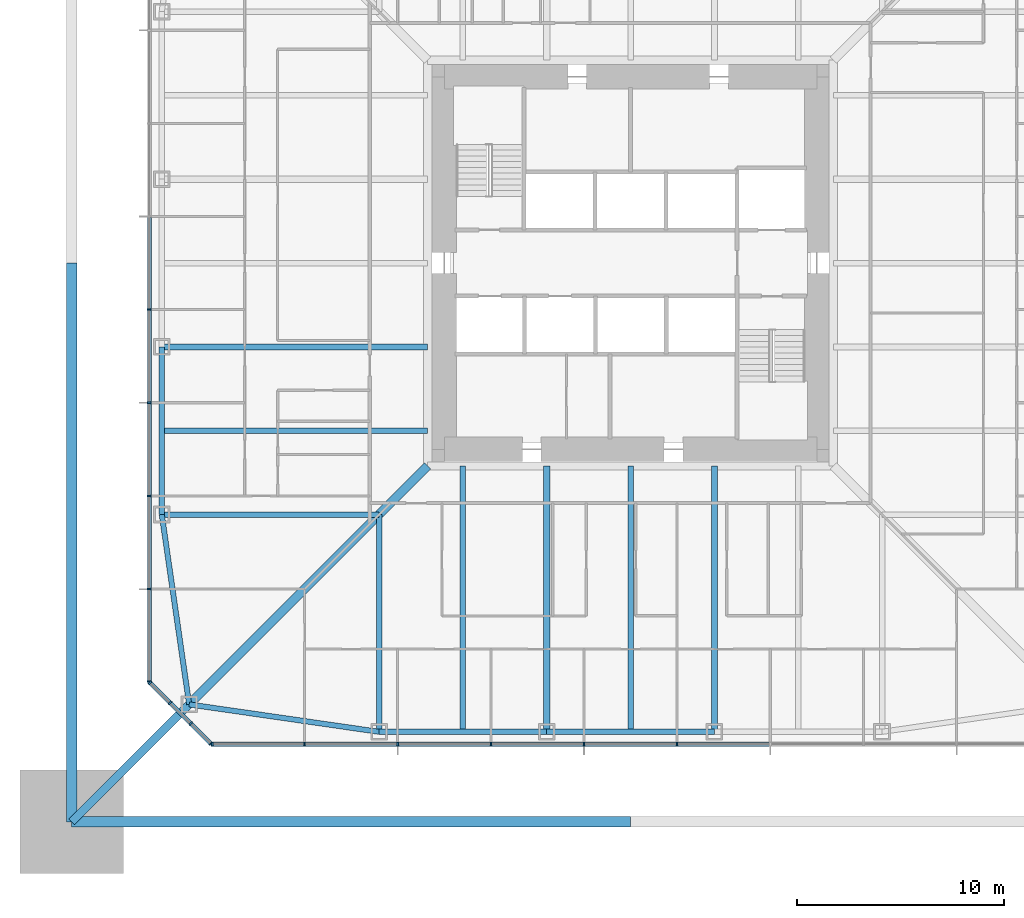
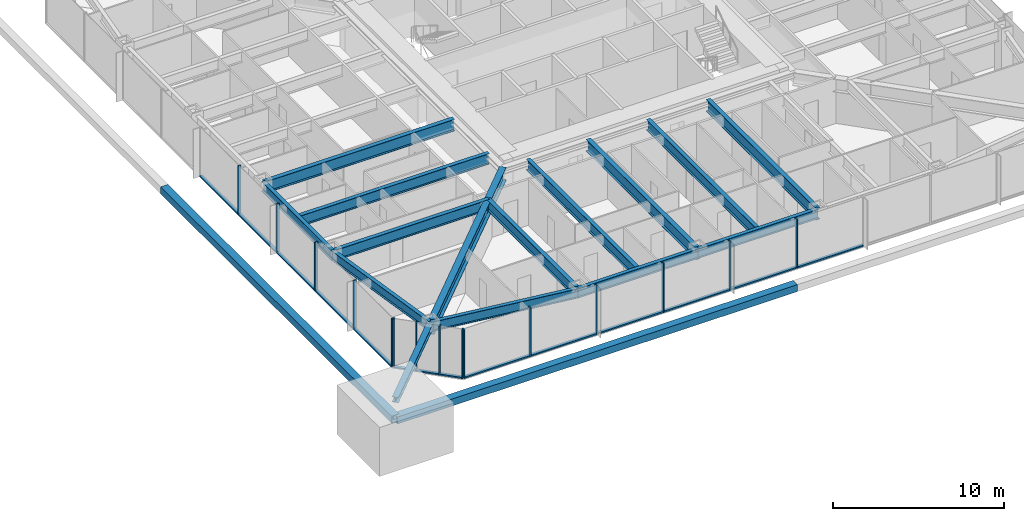
# One storey, part 3 of 27: 32 members, 14 beams, 3 elements without a shape of their own.
"""IFC4 building model written with IfcOpenShell, lengths in metres."""

import ifcopenshell
import ifcopenshell.guid

model = None  # the IFC model being written
_history = None  # IfcOwnerHistory: only IFC2X3 demands one
_inside = {}  # id of a spatial element -> (the spatial element, [elements in it])
_under = {}  # id of a project, library or spatial element -> (it, [spatial elements below it])
_declared = {}  # id of a project -> (the project, [libraries it declares])
_typed = {}  # id of a type object -> (the type object, [elements of that type])
_made_of = {}  # id of a material, layer set ... -> (it, [elements and type objects made of it])


def new_model(schema):
    """Start an empty IFC model of exactly this schema.

    Asked for "IFC4X3", IfcOpenShell would pick the latest addendum, in which some entities
    have other attributes; the version numbers below select the first issue.
    IFC2X3 requires an IfcOwnerHistory on every rooted entity: one is made here for all.
    """
    global model, _history
    if schema == "IFC4X3":
        model = ifcopenshell.file(schema_version=(4, 3, 0, 0))
    else:
        model = ifcopenshell.file(schema=schema)
    _inside.clear()
    _under.clear()
    _declared.clear()
    _typed.clear()
    _made_of.clear()
    _history = None
    if model.schema == "IFC2X3":
        org = make("IfcOrganization", Name="unknown")
        user = make(
            "IfcPersonAndOrganization",
            ThePerson=make("IfcPerson", FamilyName="unknown"),
            TheOrganization=org,
        )
        app = make(
            "IfcApplication",
            ApplicationDeveloper=org,
            Version="unknown",
            ApplicationFullName="unknown",
            ApplicationIdentifier="unknown",
        )
        _history = make(
            "IfcOwnerHistory",
            OwningUser=user,
            OwningApplication=app,
            ChangeAction="ADDED",
            CreationDate=0,
        )
    return model


def make(cls, **values):
    """One entity of the class cls with the attributes given. An attribute that is None is left unset."""
    return model.create_entity(
        cls, **{name: value for name, value in values.items() if value is not None}
    )


def rooted(cls, **values):
    """An entity with a GlobalId (a new one), such as an element, a storey or a relation."""
    return make(cls, GlobalId=ifcopenshell.guid.new(), OwnerHistory=_history, **values)


def si_unit(unit_type, name, prefix=None):
    """IfcSIUnit, for example si_unit("LENGTHUNIT", "METRE", prefix="MILLI")."""
    return make("IfcSIUnit", UnitType=unit_type, Prefix=prefix, Name=name)


def assignment(units):
    """IfcUnitAssignment: the units of a project."""
    return None if units is None else make("IfcUnitAssignment", Units=units)


def point(xyz):
    """IfcCartesianPoint."""
    return None if xyz is None else make("IfcCartesianPoint", Coordinates=xyz)


def direction(xyz):
    """IfcDirection."""
    return None if xyz is None else make("IfcDirection", DirectionRatios=xyz)


def frame(location, z_axis=None, x_axis=None):
    """IfcAxis2Placement3D, a coordinate frame: its origin and axes. An axis left out is left unset."""
    return make(
        "IfcAxis2Placement3D",
        Location=point(location),
        Axis=direction(z_axis),
        RefDirection=direction(x_axis),
    )


def frame_2d(location, x_axis=None):
    """IfcAxis2Placement2D, a coordinate frame in the plane: its origin and x axis."""
    return make(
        "IfcAxis2Placement2D", Location=point(location), RefDirection=direction(x_axis)
    )


def origin():
    """The frame at (0, 0, 0) with its axes left unset."""
    return frame((0.0, 0.0, 0.0))


def origin_2d():
    """The frame at (0, 0) in the plane with its x axis left unset."""
    return frame_2d((0.0, 0.0))


def place(relative_to, where):
    """IfcLocalPlacement: puts the frame where relative to a parent placement (None: the world)."""
    return make(
        "IfcLocalPlacement", PlacementRelTo=relative_to, RelativePlacement=where
    )


def context(
    kind, dimensions, precision=None, world=None, true_north=None, identifier=None
):
    """IfcGeometricRepresentationContext, for example the 3D "Model" context."""
    return make(
        "IfcGeometricRepresentationContext",
        ContextIdentifier=identifier,
        ContextType=kind,
        CoordinateSpaceDimension=dimensions,
        Precision=precision,
        WorldCoordinateSystem=world,
        TrueNorth=true_north,
    )


def subcontext(parent, identifier, kind, view, scale=None):
    """IfcGeometricRepresentationSubContext, for example "Body" below "Model"."""
    return make(
        "IfcGeometricRepresentationSubContext",
        ContextIdentifier=identifier,
        ContextType=kind,
        ParentContext=parent,
        TargetScale=scale,
        TargetView=view,
    )


def project(units=None, contexts=None):
    """IfcProject with its units and contexts."""
    return rooted(
        "IfcProject",
        Name="project",
        RepresentationContexts=contexts,
        UnitsInContext=assignment(units),
    )


def spatial(cls, under=None, at=None, **own):
    """A site, building, storey or space (cls), placed at a placement, below another one or the project."""
    s = rooted(cls, ObjectPlacement=at, **own)
    if under is not None:
        _under.setdefault(under.id(), (under, []))[1].append(s)
    return s


def profile(cls, at=None, kind="AREA", **sizes):
    """A parametric profile (cls). Its sizes go by their IFC names, for example OverallWidth=200.0."""
    return make(cls, ProfileType=kind, Position=at, **sizes)


def rectangle(**sizes):
    """IfcRectangleProfileDef."""
    return profile("IfcRectangleProfileDef", **sizes)


def hollow_rectangle(**sizes):
    """IfcRectangleHollowProfileDef."""
    return profile("IfcRectangleHollowProfileDef", **sizes)


def i_section(**sizes):
    """IfcIShapeProfileDef."""
    return profile("IfcIShapeProfileDef", **sizes)


def extrude(swept, where, along, depth):
    """IfcExtrudedAreaSolid: the profile swept, set in the frame where, extruded along a direction by depth."""
    return make(
        "IfcExtrudedAreaSolid",
        SweptArea=swept,
        Position=where,
        ExtrudedDirection=direction(along),
        Depth=depth,
    )


def shape(context_of_items, identifier, shape_type, items):
    """IfcShapeRepresentation: the items that make up one representation, for example the "Body"."""
    return make(
        "IfcShapeRepresentation",
        ContextOfItems=context_of_items,
        RepresentationIdentifier=identifier,
        RepresentationType=shape_type,
        Items=items,
    )


def material(Name=None, Category=None):
    """IfcMaterial."""
    return make("IfcMaterial", Name=Name, Category=Category)


def material_profile(
    of_material, cross_section, Name=None, Category=None, Priority=None
):
    """IfcMaterialProfile: a cross section and its material."""
    return make(
        "IfcMaterialProfile",
        Name=Name,
        Material=of_material,
        Profile=cross_section,
        Priority=Priority,
        Category=Category,
    )


def profile_set(profiles, Name=None, composite=None):
    """IfcMaterialProfileSet."""
    return make(
        "IfcMaterialProfileSet",
        Name=Name,
        MaterialProfiles=profiles,
        CompositeProfile=composite,
    )


def made_of(thing, what):
    """Note that an element or type object is made of a material, layer set ...; save() writes the relation."""
    if what is not None:
        _made_of.setdefault(what.id(), (what, []))[1].append(thing)
    return thing


def type_object(cls, material=None, **own):
    """A type object (cls), such as IfcWallType, which elements share."""
    return made_of(rooted(cls, **own), material)


def element(
    cls,
    number,
    at=None,
    inside=None,
    cuts=None,
    type_object=None,
    material=None,
    context=None,
    identifier="Body",
    shape_type=None,
    held_by="IfcProductDefinitionShape",
    body=None,
    shapes=None,
    **own,
):
    """One element of the class cls, such as IfcWall. Its Tag is "e" and its number.

    at: its placement. inside: the storey or other place that contains it. cuts: it is an
    opening in that element (IfcRelVoidsElement). A single representation is given by context,
    identifier, shape_type and body (its items); several are given by shapes. held_by: the class
    of the entity that holds the representations. save() writes the other relations.
    """
    e = rooted(cls, Tag="e%d" % number, ObjectPlacement=at, **own)
    if body is not None:
        shapes = [shape(context, identifier, shape_type, body)]
    if shapes is not None:
        e.Representation = make(held_by, Representations=shapes)
    if inside is not None:
        _inside.setdefault(inside.id(), (inside, []))[1].append(e)
    if cuts is not None:
        rooted(
            "IfcRelVoidsElement", RelatingBuildingElement=cuts, RelatedOpeningElement=e
        )
    if type_object is not None:
        _typed.setdefault(type_object.id(), (type_object, []))[1].append(e)
    return made_of(e, material)


def aggregate(whole, parts):
    """IfcRelAggregates: a whole, such as a stair, and the parts it consists of."""
    return rooted("IfcRelAggregates", RelatingObject=whole, RelatedObjects=parts)


def save(model, path):
    """Write the relations noted so far, then the file.

    IfcRelAggregates (storeys below a building ...), IfcRelContainedInSpatialStructure (elements
    in a storey), IfcRelDefinesByType, IfcRelAssociatesMaterial and IfcRelDeclares: one each for
    every whole, place, type object, material and project.
    """
    for whole, parts in _under.values():
        aggregate(whole, parts)
    for where, things in _inside.values():
        rooted(
            "IfcRelContainedInSpatialStructure",
            RelatedElements=things,
            RelatingStructure=where,
        )
    for kind, things in _typed.values():
        rooted("IfcRelDefinesByType", RelatedObjects=things, RelatingType=kind)
    for what, things in _made_of.values():
        rooted("IfcRelAssociatesMaterial", RelatedObjects=things, RelatingMaterial=what)
    for by, libraries in _declared.values():
        rooted("IfcRelDeclares", RelatingContext=by, RelatedDefinitions=libraries)
    model.write(path)


model = new_model("IFC4")

# Units and contexts
model_context = context("Model", 3, precision=1e-05, world=origin(), true_north=direction((0.0, 1.0)))
body_context = subcontext(model_context, "Body", "Model", "MODEL_VIEW")
ifc_project = project(units=[si_unit("LENGTHUNIT", "METRE"), si_unit("AREAUNIT", "SQUARE_METRE"), si_unit("VOLUMEUNIT", "CUBIC_METRE"), si_unit("PLANEANGLEUNIT", "RADIAN"), si_unit("MASSUNIT", "GRAM", prefix="KILO")], contexts=[model_context])

# Site, building, storey
site_placement = place(None, origin())
site = spatial("IfcSite", under=ifc_project, at=site_placement, CompositionType="ELEMENT")
building_placement = place(site_placement, origin())
building = spatial("IfcBuilding", under=site, at=building_placement, Name="Iwan Alto Co-Living Towers", CompositionType="ELEMENT")
storey_placement = place(building_placement, frame((0.0, 0.0, 53.5)))
storey = spatial("IfcBuildingStorey", under=building, at=storey_placement, Name="L14", CompositionType="ELEMENT", Elevation=53.5)

# Curtain wall, members
ifc_material_1 = material(Name="Bronze aluminium unitised frame", Category="aluminium")
curtain_wall_type_1 = type_object("IfcCurtainWallType", Name="CURTAIN WALL CW-A", PredefinedType="NOTDEFINED", material=ifc_material_1)
curtain_wall_1_placement = place(storey_placement, origin())
curtain_wall_1 = element("IfcCurtainWall", 1, at=curtain_wall_1_placement, inside=storey, type_object=curtain_wall_type_1, Name="T1 curtain wall S L14", PredefinedType="NOTDEFINED")
ifc_material_2 = material(Name="Aluminium 6063-T6 bronze anodised", Category="aluminium")
ifc_material_profile_1 = material_profile(ifc_material_2, rectangle(XDim=0.199951171875, YDim=0.080078125, at=origin_2d()), Name="AL 80X200")
ifc_profile_set_1 = profile_set([ifc_material_profile_1], Name="Aluminium 6063-T6 bronze anodised")
member_type_1 = type_object("IfcMemberType", Name="CW-A MULLION 80X200", PredefinedType="MULLION", material=ifc_profile_set_1)
member_1_placement = place(storey_placement, frame((-20.2099609375, -23.25, 0.0), z_axis=(0.0, 0.0, 1.0), x_axis=(0.0, 1.0, 0.0)))
member_1 = element("IfcMember", 2, at=member_1_placement, type_object=member_type_1, Name="CW-A mullion 1", PredefinedType="MULLION", context=body_context, shape_type="SweptSolid", body=[
    extrude(rectangle(XDim=0.199951171875, YDim=0.080078125, at=origin_2d()), origin(), (0.0, 0.0, 1.0), 3.5),
])
member_2_placement = place(storey_placement, frame((-15.75, -23.25, 0.0), z_axis=(0.0, 0.0, 1.0), x_axis=(0.0, 1.0, 0.0)))
member_2 = element("IfcMember", 3, at=member_2_placement, type_object=member_type_1, Name="CW-A mullion 2", PredefinedType="MULLION", context=body_context, shape_type="SweptSolid", body=[
    extrude(rectangle(XDim=0.199951171875, YDim=0.080078125, at=origin_2d()), origin(), (0.0, 0.0, 1.0), 3.5),
])
member_3_placement = place(storey_placement, frame((-11.25, -23.25, 0.0), z_axis=(0.0, 0.0, 1.0), x_axis=(0.0, 1.0, 0.0)))
member_3 = element("IfcMember", 4, at=member_3_placement, type_object=member_type_1, Name="CW-A mullion 3", PredefinedType="MULLION", context=body_context, shape_type="SweptSolid", body=[
    extrude(rectangle(XDim=0.199951171875, YDim=0.080078125, at=origin_2d()), origin(), (0.0, 0.0, 1.0), 3.5),
])
member_4_placement = place(storey_placement, frame((-6.75, -23.25, 0.0), z_axis=(0.0, 0.0, 1.0), x_axis=(0.0, 1.0, 0.0)))
member_4 = element("IfcMember", 5, at=member_4_placement, type_object=member_type_1, Name="CW-A mullion 4", PredefinedType="MULLION", context=body_context, shape_type="SweptSolid", body=[
    extrude(rectangle(XDim=0.199951171875, YDim=0.080078125, at=origin_2d()), origin(), (0.0, 0.0, 1.0), 3.5),
])
member_5_placement = place(storey_placement, frame((-2.25, -23.25, 0.0), z_axis=(0.0, 0.0, 1.0), x_axis=(0.0, 1.0, 0.0)))
member_5 = element("IfcMember", 6, at=member_5_placement, type_object=member_type_1, Name="CW-A mullion 5", PredefinedType="MULLION", context=body_context, shape_type="SweptSolid", body=[
    extrude(rectangle(XDim=0.199951171875, YDim=0.080078125, at=origin_2d()), origin(), (0.0, 0.0, 1.0), 3.5),
])
member_6_placement = place(storey_placement, frame((2.25, -23.25, 0.0), z_axis=(0.0, 0.0, 1.0), x_axis=(0.0, 1.0, 0.0)))
member_6 = element("IfcMember", 7, at=member_6_placement, type_object=member_type_1, Name="CW-A mullion 6", PredefinedType="MULLION", context=body_context, shape_type="SweptSolid", body=[
    extrude(rectangle(XDim=0.199951171875, YDim=0.080078125, at=origin_2d()), origin(), (0.0, 0.0, 1.0), 3.5),
])

curtain_wall_2_placement = place(storey_placement, origin())
curtain_wall_2 = element("IfcCurtainWall", 8, at=curtain_wall_2_placement, inside=storey, type_object=curtain_wall_type_1, Name="T1 curtain wall W L14", PredefinedType="NOTDEFINED")
member_7_placement = place(storey_placement, frame((-23.25, -2.25, 0.0), z_axis=(0.0, 0.0, 1.0), x_axis=(1.0, 0.0, 0.0)))
member_7 = element("IfcMember", 9, at=member_7_placement, type_object=member_type_1, Name="CW-A mullion 6", PredefinedType="MULLION", context=body_context, shape_type="SweptSolid", body=[
    extrude(rectangle(XDim=0.199951171875, YDim=0.080078125, at=origin_2d()), origin(), (0.0, 0.0, 1.0), 3.5),
])
member_8_placement = place(storey_placement, frame((-23.25, -6.75, 0.0), z_axis=(0.0, 0.0, 1.0), x_axis=(1.0, 0.0, 0.0)))
member_8 = element("IfcMember", 10, at=member_8_placement, type_object=member_type_1, Name="CW-A mullion 7", PredefinedType="MULLION", context=body_context, shape_type="SweptSolid", body=[
    extrude(rectangle(XDim=0.199951171875, YDim=0.080078125, at=origin_2d()), origin(), (0.0, 0.0, 1.0), 3.5),
])
member_9_placement = place(storey_placement, frame((-23.25, -11.25, 0.0), z_axis=(0.0, 0.0, 1.0), x_axis=(1.0, 0.0, 0.0)))
member_9 = element("IfcMember", 11, at=member_9_placement, type_object=member_type_1, Name="CW-A mullion 8", PredefinedType="MULLION", context=body_context, shape_type="SweptSolid", body=[
    extrude(rectangle(XDim=0.199951171875, YDim=0.080078125, at=origin_2d()), origin(), (0.0, 0.0, 1.0), 3.5),
])
member_10_placement = place(storey_placement, frame((-23.25, -15.75, 0.0), z_axis=(0.0, 0.0, 1.0), x_axis=(1.0, 0.0, 0.0)))
member_10 = element("IfcMember", 12, at=member_10_placement, type_object=member_type_1, Name="CW-A mullion 9", PredefinedType="MULLION", context=body_context, shape_type="SweptSolid", body=[
    extrude(rectangle(XDim=0.199951171875, YDim=0.080078125, at=origin_2d()), origin(), (0.0, 0.0, 1.0), 3.5),
])
member_11_placement = place(storey_placement, frame((-23.25, -20.2099609375, 0.0), z_axis=(0.0, 0.0, 1.0), x_axis=(1.0, 0.0, 0.0)))
member_11 = element("IfcMember", 13, at=member_11_placement, type_object=member_type_1, Name="CW-A mullion 10", PredefinedType="MULLION", context=body_context, shape_type="SweptSolid", body=[
    extrude(rectangle(XDim=0.199951171875, YDim=0.080078125, at=origin_2d()), origin(), (0.0, 0.0, 1.0), 3.5),
])

# Member
ifc_material_3 = material(Name="Aluminium 6063-T6 bronze anodised", Category="aluminium")
ifc_material_profile_2 = material_profile(ifc_material_3, rectangle(XDim=0.199951171875, YDim=0.10009765625, at=origin_2d()), Name="AL 200X100")
ifc_profile_set_2 = profile_set([ifc_material_profile_2], Name="Aluminium 6063-T6 bronze anodised")
member_type_2 = type_object("IfcMemberType", Name="CW-A TRANSOM 200X100", PredefinedType="USERDEFINED", material=ifc_profile_set_2)
member_12_placement = place(storey_placement, frame((-20.169921875, -23.25, 0.050048828125), z_axis=(1.0, 0.0, 0.0), x_axis=(0.0, 1.0, 0.0)))
member_12 = element("IfcMember", 14, at=member_12_placement, type_object=member_type_2, Name="CW-A transom 1.1", ObjectType="TRANSOM", PredefinedType="USERDEFINED", context=body_context, shape_type="SweptSolid", body=[
    extrude(rectangle(XDim=0.199951171875, YDim=0.10009765625, at=origin_2d()), origin(), (0.0, 0.0, 1.0), 4.3798828125),
])

member_13_placement = place(storey_placement, frame((-15.7099609375, -23.25, 0.050048828125), z_axis=(1.0, 0.0, 0.0), x_axis=(0.0, 1.0, 0.0)))
member_13 = element("IfcMember", 15, at=member_13_placement, type_object=member_type_2, Name="CW-A transom 2.1", ObjectType="TRANSOM", PredefinedType="USERDEFINED", context=body_context, shape_type="SweptSolid", body=[
    extrude(rectangle(XDim=0.199951171875, YDim=0.10009765625, at=origin_2d()), origin(), (0.0, 0.0, 1.0), 4.419921875),
])

member_14_placement = place(storey_placement, frame((-11.2099609375, -23.25, 0.050048828125), z_axis=(1.0, 0.0, 0.0), x_axis=(0.0, 1.0, 0.0)))
member_14 = element("IfcMember", 16, at=member_14_placement, type_object=member_type_2, Name="CW-A transom 3.1", ObjectType="TRANSOM", PredefinedType="USERDEFINED", context=body_context, shape_type="SweptSolid", body=[
    extrude(rectangle(XDim=0.199951171875, YDim=0.10009765625, at=origin_2d()), origin(), (0.0, 0.0, 1.0), 4.419921875),
])

member_15_placement = place(storey_placement, frame((-6.7099609375, -23.25, 0.050048828125), z_axis=(1.0, 0.0, 0.0), x_axis=(0.0, 1.0, 0.0)))
member_15 = element("IfcMember", 17, at=member_15_placement, type_object=member_type_2, Name="CW-A transom 4.1", ObjectType="TRANSOM", PredefinedType="USERDEFINED", context=body_context, shape_type="SweptSolid", body=[
    extrude(rectangle(XDim=0.199951171875, YDim=0.10009765625, at=origin_2d()), origin(), (0.0, 0.0, 1.0), 4.419921875),
])

member_16_placement = place(storey_placement, frame((-2.2099609375, -23.25, 0.050048828125), z_axis=(1.0, 0.0, 0.0), x_axis=(0.0, 1.0, 0.0)))
member_16 = element("IfcMember", 18, at=member_16_placement, type_object=member_type_2, Name="CW-A transom 5.1", ObjectType="TRANSOM", PredefinedType="USERDEFINED", context=body_context, shape_type="SweptSolid", body=[
    extrude(rectangle(XDim=0.199951171875, YDim=0.10009765625, at=origin_2d()), origin(), (0.0, 0.0, 1.0), 4.419921875),
])

member_17_placement = place(storey_placement, frame((2.2900390625, -23.25, 0.050048828125), z_axis=(1.0, 0.0, 0.0), x_axis=(0.0, 1.0, 0.0)))
member_17 = element("IfcMember", 19, at=member_17_placement, type_object=member_type_2, Name="CW-A transom 6.1", ObjectType="TRANSOM", PredefinedType="USERDEFINED", context=body_context, shape_type="SweptSolid", body=[
    extrude(rectangle(XDim=0.199951171875, YDim=0.10009765625, at=origin_2d()), origin(), (0.0, 0.0, 1.0), 4.419921875),
])

aggregate(curtain_wall_1, [member_1, member_2, member_3, member_4, member_5, member_6, member_12, member_13, member_14, member_15, member_16, member_17])

member_18_placement = place(storey_placement, frame((-23.25, 2.2099609375, 0.050048828125), z_axis=(0.0, -1.0, 0.0), x_axis=(1.0, 0.0, 0.0)))
member_18 = element("IfcMember", 20, at=member_18_placement, type_object=member_type_2, Name="CW-A transom 5.1", ObjectType="TRANSOM", PredefinedType="USERDEFINED", context=body_context, shape_type="SweptSolid", body=[
    extrude(rectangle(XDim=0.199951171875, YDim=0.10009765625, at=origin_2d()), origin(), (0.0, 0.0, 1.0), 4.419921875),
])

member_19_placement = place(storey_placement, frame((-23.25, -2.2900390625, 0.050048828125), z_axis=(0.0, -1.0, 0.0), x_axis=(1.0, 0.0, 0.0)))
member_19 = element("IfcMember", 21, at=member_19_placement, type_object=member_type_2, Name="CW-A transom 6.1", ObjectType="TRANSOM", PredefinedType="USERDEFINED", context=body_context, shape_type="SweptSolid", body=[
    extrude(rectangle(XDim=0.199951171875, YDim=0.10009765625, at=origin_2d()), origin(), (0.0, 0.0, 1.0), 4.419921875),
])

member_20_placement = place(storey_placement, frame((-23.25, -6.7900390625, 0.050048828125), z_axis=(0.0, -1.0, 0.0), x_axis=(1.0, 0.0, 0.0)))
member_20 = element("IfcMember", 22, at=member_20_placement, type_object=member_type_2, Name="CW-A transom 7.1", ObjectType="TRANSOM", PredefinedType="USERDEFINED", context=body_context, shape_type="SweptSolid", body=[
    extrude(rectangle(XDim=0.199951171875, YDim=0.10009765625, at=origin_2d()), origin(), (0.0, 0.0, 1.0), 4.419921875),
])

member_21_placement = place(storey_placement, frame((-23.25, -11.2900390625, 0.050048828125), z_axis=(0.0, -1.0, 0.0), x_axis=(1.0, 0.0, 0.0)))
member_21 = element("IfcMember", 23, at=member_21_placement, type_object=member_type_2, Name="CW-A transom 8.1", ObjectType="TRANSOM", PredefinedType="USERDEFINED", context=body_context, shape_type="SweptSolid", body=[
    extrude(rectangle(XDim=0.199951171875, YDim=0.10009765625, at=origin_2d()), origin(), (0.0, 0.0, 1.0), 4.419921875),
])

member_22_placement = place(storey_placement, frame((-23.25, -15.7900390625, 0.050048828125), z_axis=(0.0, -1.0, 0.0), x_axis=(1.0, 0.0, 0.0)))
member_22 = element("IfcMember", 24, at=member_22_placement, type_object=member_type_2, Name="CW-A transom 9.1", ObjectType="TRANSOM", PredefinedType="USERDEFINED", context=body_context, shape_type="SweptSolid", body=[
    extrude(rectangle(XDim=0.199951171875, YDim=0.10009765625, at=origin_2d()), origin(), (0.0, 0.0, 1.0), 4.3798828125),
])

aggregate(curtain_wall_2, [member_7, member_8, member_9, member_10, member_11, member_18, member_19, member_20, member_21, member_22])

# Curtain wall, members
ifc_material_4 = material(Name="Bronze aluminium unitised frame", Category="aluminium")
curtain_wall_type_2 = type_object("IfcCurtainWallType", Name="CURTAIN WALL CW-B", PredefinedType="NOTDEFINED", material=ifc_material_4)
curtain_wall_3_placement = place(storey_placement, origin())
curtain_wall_3 = element("IfcCurtainWall", 25, at=curtain_wall_3_placement, inside=storey, type_object=curtain_wall_type_2, Name="T1 chamfer curtain wall SW L14", PredefinedType="NOTDEFINED")
ifc_material_5 = material(Name="Aluminium 6063-T6 bronze anodised", Category="aluminium")
ifc_material_profile_3 = material_profile(ifc_material_5, rectangle(XDim=0.199951171875, YDim=0.080078125, at=origin_2d()), Name="AL 80X200")
ifc_profile_set_3 = profile_set([ifc_material_profile_3], Name="Aluminium 6063-T6 bronze anodised")
member_type_3 = type_object("IfcMemberType", Name="CW-B MULLION 80X200", PredefinedType="MULLION", material=ifc_profile_set_3)
member_23_placement = place(storey_placement, frame((-23.2216796875, -20.2783203125, 0.0), z_axis=(0.0, 0.0, 1.0), x_axis=(0.707106781187, 0.707106781187, 0.0)))
member_23 = element("IfcMember", 26, at=member_23_placement, type_object=member_type_3, Name="CW-B mullion 1", PredefinedType="MULLION", context=body_context, shape_type="SweptSolid", body=[
    extrude(rectangle(XDim=0.199951171875, YDim=0.080078125, at=origin_2d()), origin(), (0.0, 0.0, 1.0), 3.5),
])
member_24_placement = place(storey_placement, frame((-22.25, -21.25, 0.0), z_axis=(0.0, 0.0, 1.0), x_axis=(0.707106781187, 0.707106781187, 0.0)))
member_24 = element("IfcMember", 27, at=member_24_placement, type_object=member_type_3, Name="CW-B mullion 2", PredefinedType="MULLION", context=body_context, shape_type="SweptSolid", body=[
    extrude(rectangle(XDim=0.199951171875, YDim=0.080078125, at=origin_2d()), origin(), (0.0, 0.0, 1.0), 3.5),
])
member_25_placement = place(storey_placement, frame((-21.25, -22.25, 0.0), z_axis=(0.0, 0.0, 1.0), x_axis=(0.707106781187, 0.707106781187, 0.0)))
member_25 = element("IfcMember", 28, at=member_25_placement, type_object=member_type_3, Name="CW-B mullion 3", PredefinedType="MULLION", context=body_context, shape_type="SweptSolid", body=[
    extrude(rectangle(XDim=0.199951171875, YDim=0.080078125, at=origin_2d()), origin(), (0.0, 0.0, 1.0), 3.5),
])
member_26_placement = place(storey_placement, frame((-20.2783203125, -23.2216796875, 0.0), z_axis=(0.0, 0.0, 1.0), x_axis=(0.707106781187, 0.707106781187, 0.0)))
member_26 = element("IfcMember", 29, at=member_26_placement, type_object=member_type_3, Name="CW-B mullion 4", PredefinedType="MULLION", context=body_context, shape_type="SweptSolid", body=[
    extrude(rectangle(XDim=0.199951171875, YDim=0.080078125, at=origin_2d()), origin(), (0.0, 0.0, 1.0), 3.5),
])
ifc_material_6 = material(Name="Aluminium 6063-T6 bronze anodised", Category="aluminium")
ifc_material_profile_4 = material_profile(ifc_material_6, rectangle(XDim=0.199951171875, YDim=0.10009765625, at=origin_2d()), Name="AL 200X100")
ifc_profile_set_4 = profile_set([ifc_material_profile_4], Name="Aluminium 6063-T6 bronze anodised")
member_type_4 = type_object("IfcMemberType", Name="CW-B TRANSOM 200X100", PredefinedType="USERDEFINED", material=ifc_profile_set_4)
member_27_placement = place(storey_placement, frame((-23.193359375, -20.306640625, 0.050048828125), z_axis=(0.707106781187, -0.707106781187, 0.0), x_axis=(0.707106781187, 0.707106781187, 0.0)))
member_27 = element("IfcMember", 30, at=member_27_placement, type_object=member_type_4, Name="CW-B transom 1.1", ObjectType="TRANSOM", PredefinedType="USERDEFINED", context=body_context, shape_type="SweptSolid", body=[
    extrude(rectangle(XDim=0.199951171875, YDim=0.10009765625, at=origin_2d()), origin(), (0.0, 0.0, 1.0), 1.2939453125),
])
member_28_placement = place(storey_placement, frame((-22.2216796875, -21.2783203125, 0.050048828125), z_axis=(0.707106781187, -0.707106781187, 0.0), x_axis=(0.707106781187, 0.707106781187, 0.0)))
member_28 = element("IfcMember", 31, at=member_28_placement, type_object=member_type_4, Name="CW-B transom 2.1", ObjectType="TRANSOM", PredefinedType="USERDEFINED", context=body_context, shape_type="SweptSolid", body=[
    extrude(rectangle(XDim=0.199951171875, YDim=0.10009765625, at=origin_2d()), origin(), (0.0, 0.0, 1.0), 1.334228515625),
])
member_29_placement = place(storey_placement, frame((-21.2216796875, -22.2783203125, 0.050048828125), z_axis=(0.707106781187, -0.707106781187, 0.0), x_axis=(0.707106781187, 0.707106781187, 0.0)))
member_29 = element("IfcMember", 32, at=member_29_placement, type_object=member_type_4, Name="CW-B transom 3.1", ObjectType="TRANSOM", PredefinedType="USERDEFINED", context=body_context, shape_type="SweptSolid", body=[
    extrude(rectangle(XDim=0.199951171875, YDim=0.10009765625, at=origin_2d()), origin(), (0.0, 0.0, 1.0), 1.2939453125),
])
aggregate(curtain_wall_3, [member_23, member_24, member_25, member_26, member_27, member_28, member_29])

# Beams
ifc_material_7 = material(Name="Steel ASTM A992 Gr 50", Category="steel")
ifc_material_profile_5 = material_profile(ifc_material_7, i_section(OverallWidth=0.419189453125, OverallDepth=0.927001953125, WebThickness=0.019287109375, FlangeThickness=0.031982421875, at=origin_2d()), Name="W36X231")
ifc_profile_set_5 = profile_set([ifc_material_profile_5], Name="Steel ASTM A992 Gr 50")
beam_type_1 = type_object("IfcBeamType", Name="T1 CORNER GIRDER W36X231", PredefinedType="BEAM", material=ifc_profile_set_5)
beam_1_placement = place(storey_placement, frame((-21.32568359375, -21.32568359375, 2.806396484375), z_axis=(0.707106781187, 0.707106781187, 0.0), x_axis=(-0.707106781187, 0.707106781187, 0.0)))
element("IfcBeam", 33, at=beam_1_placement, inside=storey, type_object=beam_type_1, Name="T1 corner girder CSW L15", PredefinedType="BEAM", context=body_context, shape_type="SweptSolid", body=[
    extrude(i_section(OverallWidth=0.419189453125, OverallDepth=0.927001953125, WebThickness=0.019287109375, FlangeThickness=0.031982421875, at=origin_2d()), origin(), (0.0, 0.0, 1.0), 16.296875),
])
ifc_material_8 = material(Name="Steel ASTM A992 Gr 50", Category="steel")
ifc_material_profile_6 = material_profile(ifc_material_8, i_section(OverallWidth=0.25390625, OverallDepth=0.683349609375, WebThickness=0.012451171875, FlangeThickness=0.018798828125, at=origin_2d()), Name="W27X94")
ifc_profile_set_6 = profile_set([ifc_material_profile_6], Name="Steel ASTM A992 Gr 50")
beam_type_2 = type_object("IfcBeamType", Name="T1 EDGE BEAM W27X94", PredefinedType="BEAM", material=ifc_profile_set_6)
beam_2_placement = place(storey_placement, frame((-21.32568359375, -21.32568359375, 2.928466796875), z_axis=(0.989746234347, -0.142836940589, 0.0), x_axis=(0.142836940589, 0.989746234347, 0.0)))
element("IfcBeam", 34, at=beam_2_placement, inside=storey, type_object=beam_type_2, Name="T1 edge beam CSW L15", PredefinedType="BEAM", context=body_context, shape_type="SweptSolid", body=[
    extrude(i_section(OverallWidth=0.25390625, OverallDepth=0.683349609375, WebThickness=0.012451171875, FlangeThickness=0.018798828125, at=origin_2d()), origin(), (0.0, 0.0, 1.0), 9.270751953125),
])
beam_3_placement = place(storey_placement, frame((-12.14990234375, -22.64990234375, 2.928466796875), z_axis=(1.0, 0.0, 0.0), x_axis=(0.0, 1.0, 0.0)))
element("IfcBeam", 35, at=beam_3_placement, inside=storey, type_object=beam_type_2, Name="T1 edge beam S1 L15", PredefinedType="BEAM", context=body_context, shape_type="SweptSolid", body=[
    extrude(i_section(OverallWidth=0.25390625, OverallDepth=0.683349609375, WebThickness=0.012451171875, FlangeThickness=0.018798828125, at=origin_2d()), origin(), (0.0, 0.0, 1.0), 8.099853515625),
])
beam_4_placement = place(storey_placement, frame((-4.050048828125, -22.64990234375, 2.928466796875), z_axis=(1.0, 0.0, 0.0), x_axis=(0.0, 1.0, 0.0)))
element("IfcBeam", 36, at=beam_4_placement, inside=storey, type_object=beam_type_2, Name="T1 edge beam S2 L15", PredefinedType="BEAM", context=body_context, shape_type="SweptSolid", body=[
    extrude(i_section(OverallWidth=0.25390625, OverallDepth=0.683349609375, WebThickness=0.012451171875, FlangeThickness=0.018798828125, at=origin_2d()), origin(), (0.0, 0.0, 1.0), 8.10009765625),
])
beam_5_placement = place(storey_placement, frame((-22.64990234375, -4.050048828125, 2.928466796875), z_axis=(0.0, -1.0, 0.0), x_axis=(1.0, 0.0, 0.0)))
element("IfcBeam", 37, at=beam_5_placement, inside=storey, type_object=beam_type_2, Name="T1 edge beam W3 L15", PredefinedType="BEAM", context=body_context, shape_type="SweptSolid", body=[
    extrude(i_section(OverallWidth=0.25390625, OverallDepth=0.683349609375, WebThickness=0.012451171875, FlangeThickness=0.018798828125, at=origin_2d()), origin(), (0.0, 0.0, 1.0), 8.099853515625),
])
beam_6_placement = place(storey_placement, frame((-22.64990234375, -12.14990234375, 2.928466796875), z_axis=(0.142836940589, -0.989746234347, 0.0), x_axis=(0.989746234347, 0.142836940589, 0.0)))
element("IfcBeam", 38, at=beam_6_placement, inside=storey, type_object=beam_type_2, Name="T1 edge beam W4 L15", PredefinedType="BEAM", context=body_context, shape_type="SweptSolid", body=[
    extrude(i_section(OverallWidth=0.25390625, OverallDepth=0.683349609375, WebThickness=0.012451171875, FlangeThickness=0.018798828125, at=origin_2d()), origin(), (0.0, 0.0, 1.0), 9.270751953125),
])

# Members
ifc_material_9 = material(Name="Steel ASTM A992 Gr 50", Category="steel")
ifc_material_profile_7 = material_profile(ifc_material_9, i_section(OverallWidth=0.393798828125, OverallDepth=0.3759765625, WebThickness=0.017333984375, FlangeThickness=0.027587890625, at=origin_2d()), Name="W14X145")
ifc_profile_set_7 = profile_set([ifc_material_profile_7], Name="Steel ASTM A992 Gr 50")
member_type_5 = type_object("IfcMemberType", Name="T1 MEGA COLUMN FLOOR TIE W14X145", PredefinedType="STRUT", material=ifc_profile_set_7)
member_30_placement = place(storey_placement, frame((-27.0, -27.0, 3.08203125), z_axis=(0.707106781187, 0.707106781187, 0.0), x_axis=(-0.707106781187, 0.707106781187, 0.0)))
element("IfcMember", 39, at=member_30_placement, inside=storey, type_object=member_type_5, Name="T1 mega column floor tie SW L15", PredefinedType="STRUT", context=body_context, shape_type="SweptSolid", body=[
    extrude(i_section(OverallWidth=0.393798828125, OverallDepth=0.3759765625, WebThickness=0.017333984375, FlangeThickness=0.027587890625, at=origin_2d()), origin(), (0.0, 0.0, 1.0), 8.024658203125),
])
ifc_material_10 = material(Name="Steel ASTM A572 Gr 50", Category="steel")
ifc_material_profile_8 = material_profile(ifc_material_10, hollow_rectangle(XDim=0.5, YDim=0.5, WallThickness=0.031982421875, at=origin_2d()), Name="BOX 500X500X32")
ifc_profile_set_8 = profile_set([ifc_material_profile_8], Name="Steel ASTM A572 Gr 50")
member_type_6 = type_object("IfcMemberType", Name="T1 MEGA TIE BOX 500X500X32", PredefinedType="STRUT", material=ifc_profile_set_8)
for number, where, z_axis, x_axis, name in (
    (40, (-27.0, -27.0, 1.75), (1.0, 0.0, 0.0), (0.0, 1.0, 0.0), "T1 mega tie Z1B S 1"),
    (41, (-27.0, 0.0, 1.75), (0.0, -1.0, 0.0), (1.0, 0.0, 0.0), "T1 mega tie Z1B W 2"),
):
    element("IfcMember", number, at=place(storey_placement, frame(where, z_axis=z_axis, x_axis=x_axis)), inside=storey, type_object=member_type_6, Name=name, PredefinedType="STRUT", context=body_context, shape_type="SweptSolid", body=[
        extrude(hollow_rectangle(XDim=0.5, YDim=0.5, WallThickness=0.031982421875, at=origin_2d()), origin(), (0.0, 0.0, 1.0), 27.0),
    ])

# Beams
ifc_material_11 = material(Name="Steel ASTM A992 Gr 50", Category="steel")
ifc_material_profile_9 = material_profile(ifc_material_11, i_section(OverallWidth=0.2666015625, OverallDepth=0.761962890625, WebThickness=0.014404296875, FlangeThickness=0.021484375, at=origin_2d()), Name="W30X116")
ifc_profile_set_9 = profile_set([ifc_material_profile_9], Name="Steel ASTM A992 Gr 50")
beam_type_3 = type_object("IfcBeamType", Name="T1 RADIAL BEAM W30X116", PredefinedType="BEAM", material=ifc_profile_set_9)
for number, where, z_axis, x_axis, name in (
    (42, (-12.14990234375, -22.64990234375, 2.888916015625), (0.0, 1.0, 0.0), (-1.0, 0.0, 0.0), "T1 radial beam S1 L15"),
    (43, (-22.64990234375, -12.14990234375, 2.888916015625), (1.0, 0.0, 0.0), (0.0, 1.0, 0.0), "T1 radial beam W4 L15"),
):
    element("IfcBeam", number, at=place(storey_placement, frame(where, z_axis=z_axis, x_axis=x_axis)), inside=storey, type_object=beam_type_3, Name=name, PredefinedType="BEAM", context=body_context, shape_type="SweptSolid", body=[
        extrude(i_section(OverallWidth=0.2666015625, OverallDepth=0.761962890625, WebThickness=0.014404296875, FlangeThickness=0.021484375, at=origin_2d()), origin(), (0.0, 0.0, 1.0), 10.5),
    ])
ifc_material_12 = material(Name="Steel ASTM A992 Gr 50", Category="steel")
ifc_material_profile_10 = material_profile(ifc_material_12, i_section(OverallWidth=0.2919921875, OverallDepth=0.8408203125, WebThickness=0.0146484375, FlangeThickness=0.021728515625, at=origin_2d()), Name="W33X130")
ifc_profile_set_10 = profile_set([ifc_material_profile_10], Name="Steel ASTM A992 Gr 50")
beam_type_4 = type_object("IfcBeamType", Name="T1 RADIAL BEAM W33X130", PredefinedType="BEAM", material=ifc_profile_set_10)
for number, where, z_axis, x_axis, name in (
    (44, (-4.050048828125, -22.64990234375, 2.849609375), (0.0, 1.0, 0.0), (-1.0, 0.0, 0.0), "T1 radial beam S2 L15"),
    (45, (4.050048828125, -22.64990234375, 2.849609375), (0.0, 1.0, 0.0), (-1.0, 0.0, 0.0), "T1 radial beam S3 L15"),
    (46, (-22.64990234375, -4.050048828125, 2.849609375), (1.0, 0.0, 0.0), (0.0, 1.0, 0.0), "T1 radial beam W3 L15"),
):
    element("IfcBeam", number, at=place(storey_placement, frame(where, z_axis=z_axis, x_axis=x_axis)), inside=storey, type_object=beam_type_4, Name=name, PredefinedType="BEAM", context=body_context, shape_type="SweptSolid", body=[
        extrude(i_section(OverallWidth=0.2919921875, OverallDepth=0.8408203125, WebThickness=0.0146484375, FlangeThickness=0.021728515625, at=origin_2d()), origin(), (0.0, 0.0, 1.0), 12.847900390625),
    ])
ifc_material_13 = material(Name="Steel ASTM A992 Gr 50", Category="steel")
ifc_material_profile_11 = material_profile(ifc_material_13, i_section(OverallWidth=0.2666015625, OverallDepth=0.761962890625, WebThickness=0.014404296875, FlangeThickness=0.021484375, at=origin_2d()), Name="W30X116")
ifc_profile_set_11 = profile_set([ifc_material_profile_11], Name="Steel ASTM A992 Gr 50")
beam_type_5 = type_object("IfcBeamType", Name="T1 SECONDARY BEAM W30X116", PredefinedType="JOIST", material=ifc_profile_set_11)
for number, where, z_axis, x_axis, name in (
    (47, (-8.10009765625, -22.64990234375, 2.888916015625), (0.0, 1.0, 0.0), (-1.0, 0.0, 0.0), "T1 secondary beam S1 L15"),
    (48, (0.0, -22.64990234375, 2.888916015625), (0.0, 1.0, 0.0), (-1.0, 0.0, 0.0), "T1 secondary beam S2 L15"),
    (49, (-22.64990234375, -8.10009765625, 2.888916015625), (1.0, 0.0, 0.0), (0.0, 1.0, 0.0), "T1 secondary beam W3 L15"),
):
    element("IfcBeam", number, at=place(storey_placement, frame(where, z_axis=z_axis, x_axis=x_axis)), inside=storey, type_object=beam_type_5, Name=name, PredefinedType="JOIST", context=body_context, shape_type="SweptSolid", body=[
        extrude(i_section(OverallWidth=0.2666015625, OverallDepth=0.761962890625, WebThickness=0.014404296875, FlangeThickness=0.021484375, at=origin_2d()), origin(), (0.0, 0.0, 1.0), 12.847900390625),
    ])

save(model, "model.ifc")
